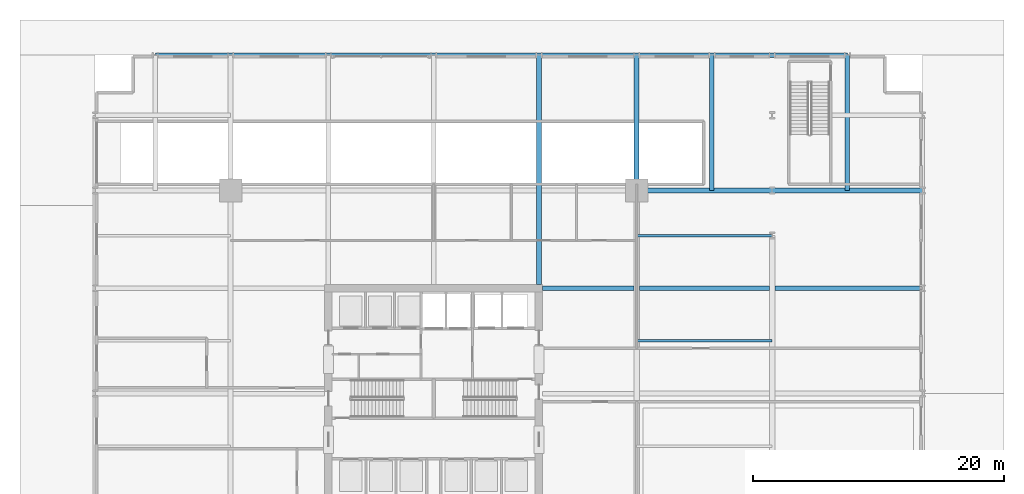
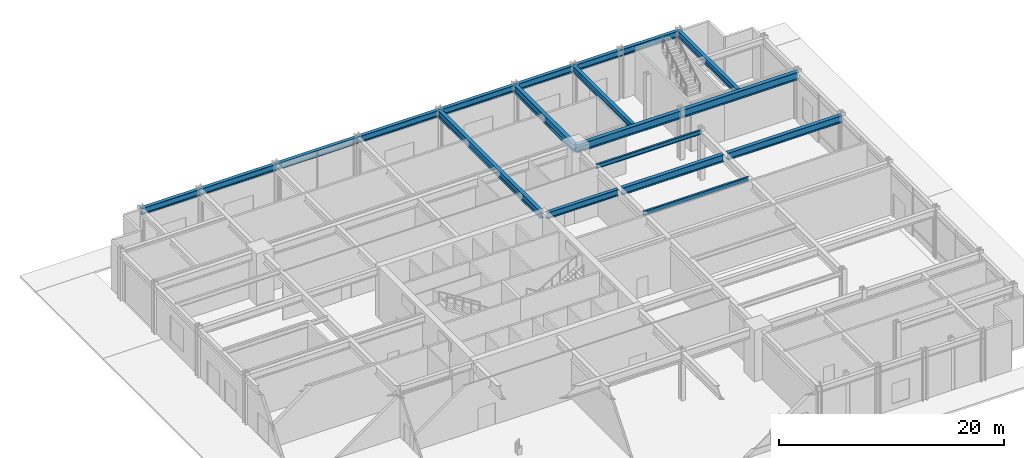
# One storey, part 6 of 21: 12 beams.
"""IFC4 building model written with IfcOpenShell, lengths in metres."""

from ifc_helpers import new_model, si_unit, direction, frame, origin, origin_2d, place, context, subcontext, project, spatial, i_section, extrude, material, material_profile, profile_set, type_object, element, save


model = new_model("IFC4")

# Units and contexts
model_context = context("Model", 3, precision=1e-05, world=origin(), true_north=direction((0.0, 1.0)))
body_context = subcontext(model_context, "Body", "Model", "MODEL_VIEW")
ifc_project = project(units=[si_unit("LENGTHUNIT", "METRE"), si_unit("AREAUNIT", "SQUARE_METRE"), si_unit("VOLUMEUNIT", "CUBIC_METRE"), si_unit("PLANEANGLEUNIT", "RADIAN"), si_unit("MASSUNIT", "GRAM", prefix="KILO")], contexts=[model_context])

# Site, building, storey
site_placement = place(None, origin())
site = spatial("IfcSite", under=ifc_project, at=site_placement, CompositionType="ELEMENT")
building_placement = place(site_placement, origin())
building = spatial("IfcBuilding", under=site, at=building_placement, Name="Drelvath Grand Hotel", CompositionType="ELEMENT")
storey_placement = place(building_placement, origin())
storey = spatial("IfcBuildingStorey", under=building, at=storey_placement, Name="L00", CompositionType="ELEMENT", Elevation=0.0)

# Beams
ifc_material = material(Name="Steel ASTM A992 Gr 50", Category="steel")
ifc_material_profile_1 = material_profile(ifc_material, i_section(OverallWidth=0.19140625, OverallDepth=0.4599609375, WebThickness=0.010009765625, FlangeThickness=0.01611328125, FilletRadius=0.01611328125, at=origin_2d()), Name="W18X55")
ifc_profile_set_1 = profile_set([ifc_material_profile_1], Name="Steel ASTM A992 Gr 50")
beam_type_1 = type_object("IfcBeamType", Name="Composite Floor Joist W18X55", PredefinedType="JOIST", material=ifc_profile_set_1)
for number, where, z_axis, x_axis, name in (
    (1, (16.199951171875, 31.199951171875, 5.070068359375), (1.0, 0.0, 0.0), (0.0, 1.0, 0.0), "L00 East Composite Joist J2"),
    (2, (16.199951171875, 39.60009765625, 5.070068359375), (1.0, 0.0, 0.0), (0.0, 1.0, 0.0), "L00 East Composite Joist J4"),
):
    element("IfcBeam", number, at=place(storey_placement, frame(where, z_axis=z_axis, x_axis=x_axis)), inside=storey, type_object=beam_type_1, Name=name, PredefinedType="JOIST", context=body_context, shape_type="SweptSolid", body=[
        extrude(i_section(OverallWidth=0.19140625, OverallDepth=0.4599609375, WebThickness=0.010009765625, FlangeThickness=0.01611328125, FilletRadius=0.01611328125, at=origin_2d()), origin(), (0.0, 0.0, 1.0), 10.800048828125),
    ])
ifc_material_profile_2 = material_profile(ifc_material, i_section(OverallWidth=0.354736328125, OverallDepth=0.695556640625, WebThickness=0.015380859375, FlangeThickness=0.025146484375, FilletRadius=0.02392578125, at=origin_2d()), Name="W27X146")
ifc_profile_set_2 = profile_set([ifc_material_profile_2], Name="Steel ASTM A992 Gr 50")
beam_type_2 = type_object("IfcBeamType", Name="Perimeter Spandrel Beam W27X146", PredefinedType="SPANDREL", material=ifc_profile_set_2)
beam_1_placement = place(storey_placement, frame((-22.199951171875, 54.0, 4.9521484375), z_axis=(1.0, 0.0, 0.0), x_axis=(0.0, 1.0, 0.0)))
element("IfcBeam", 3, at=beam_1_placement, inside=storey, type_object=beam_type_2, Name="L00 Podium Perimeter Spandrel SPN1", PredefinedType="SPANDREL", context=body_context, shape_type="SweptSolid", body=[
    extrude(i_section(OverallWidth=0.354736328125, OverallDepth=0.695556640625, WebThickness=0.015380859375, FlangeThickness=0.025146484375, FilletRadius=0.02392578125, at=origin_2d()), origin(), (0.0, 0.0, 1.0), 55.199951171875),
])
ifc_material_profile_3 = material_profile(ifc_material, i_section(OverallWidth=0.354736328125, OverallDepth=0.695556640625, WebThickness=0.015380859375, FlangeThickness=0.025146484375, FilletRadius=0.02392578125, at=origin_2d()), Name="W27X146")
ifc_profile_set_3 = profile_set([ifc_material_profile_3], Name="Steel ASTM A992 Gr 50")
beam_type_3 = type_object("IfcBeamType", Name="Primary Floor Girder W27X146", PredefinedType="BEAM", material=ifc_profile_set_3)
beam_2_placement = place(storey_placement, frame((8.699951171875, 35.39990234375, 4.9521484375), z_axis=(1.0, 0.0, 0.0), x_axis=(0.0, 1.0, 0.0)))
element("IfcBeam", 4, at=beam_2_placement, inside=storey, type_object=beam_type_3, Name="L00 East Core Girder F", PredefinedType="BEAM", context=body_context, shape_type="SweptSolid", body=[
    extrude(i_section(OverallWidth=0.354736328125, OverallDepth=0.695556640625, WebThickness=0.015380859375, FlangeThickness=0.025146484375, FilletRadius=0.02392578125, at=origin_2d()), origin(), (0.0, 0.0, 1.0), 7.28857421875),
])
for number, where, z_axis, x_axis, name in (
    (5, (22.199951171875, 43.199951171875, 4.9521484375), (0.0, 1.0, 0.0), (-1.0, 0.0, 0.0), "L00 North Corner Tie 8"),
    (6, (33.0, 43.199951171875, 4.9521484375), (0.0, 1.0, 0.0), (-1.0, 0.0, 0.0), "L00 North Corner Tie 10"),
):
    element("IfcBeam", number, at=place(storey_placement, frame(where, z_axis=z_axis, x_axis=x_axis)), inside=storey, type_object=beam_type_3, Name=name, PredefinedType="BEAM", context=body_context, shape_type="SweptSolid", body=[
        extrude(i_section(OverallWidth=0.354736328125, OverallDepth=0.695556640625, WebThickness=0.015380859375, FlangeThickness=0.025146484375, FilletRadius=0.02392578125, at=origin_2d()), origin(), (0.0, 0.0, 1.0), 10.800048828125),
    ])
ifc_material_profile_4 = material_profile(ifc_material, i_section(OverallWidth=0.380615234375, OverallDepth=0.773193359375, WebThickness=0.0166015625, FlangeThickness=0.027099609375, FilletRadius=0.02490234375, at=origin_2d()), Name="W30X173")
ifc_profile_set_4 = profile_set([ifc_material_profile_4], Name="Steel ASTM A992 Gr 50")
beam_type_4 = type_object("IfcBeamType", Name="Primary Floor Girder W30X173", PredefinedType="BEAM", material=ifc_profile_set_4)
beam_3_placement = place(storey_placement, frame((8.39990234375, 35.699951171875, 4.913330078125), z_axis=(0.0, 1.0, 0.0), x_axis=(-1.0, 0.0, 0.0)))
element("IfcBeam", 7, at=beam_3_placement, inside=storey, type_object=beam_type_4, Name="L00 North Span Girder Grid 6", PredefinedType="BEAM", context=body_context, shape_type="SweptSolid", body=[
    extrude(i_section(OverallWidth=0.380615234375, OverallDepth=0.773193359375, WebThickness=0.0166015625, FlangeThickness=0.027099609375, FilletRadius=0.02490234375, at=origin_2d()), origin(), (0.0, 0.0, 1.0), 18.300048828125),
])
beam_4_placement = place(storey_placement, frame((16.41162109375, 35.39990234375, 4.913330078125), z_axis=(1.0, 0.0, 0.0), x_axis=(0.0, 1.0, 0.0)))
element("IfcBeam", 8, at=beam_4_placement, inside=storey, type_object=beam_type_4, Name="L00 East Bay Girder F", PredefinedType="BEAM", context=body_context, shape_type="SweptSolid", body=[
    extrude(i_section(OverallWidth=0.380615234375, OverallDepth=0.773193359375, WebThickness=0.0166015625, FlangeThickness=0.027099609375, FilletRadius=0.02490234375, at=origin_2d()), origin(), (0.0, 0.0, 1.0), 10.376953125),
])
beam_5_placement = place(storey_placement, frame((27.21142578125, 35.39990234375, 4.913330078125), z_axis=(1.0, 0.0, 0.0), x_axis=(0.0, 1.0, 0.0)))
element("IfcBeam", 9, at=beam_5_placement, inside=storey, type_object=beam_type_4, Name="L00 Atrium Floor Girder F", PredefinedType="BEAM", context=body_context, shape_type="SweptSolid", body=[
    extrude(i_section(OverallWidth=0.380615234375, OverallDepth=0.773193359375, WebThickness=0.0166015625, FlangeThickness=0.027099609375, FilletRadius=0.02490234375, at=origin_2d()), origin(), (0.0, 0.0, 1.0), 11.78857421875),
])
ifc_material_profile_5 = material_profile(ifc_material, i_section(OverallWidth=0.39990234375, OverallDepth=0.85546875, WebThickness=0.018310546875, FlangeThickness=0.029296875, FilletRadius=0.02490234375, at=origin_2d()), Name="W33X201")
ifc_profile_set_5 = profile_set([ifc_material_profile_5], Name="Steel ASTM A992 Gr 50")
beam_type_5 = type_object("IfcBeamType", Name="Primary Floor Girder W33X201", PredefinedType="BEAM", material=ifc_profile_set_5)
beam_6_placement = place(storey_placement, frame((16.199951171875, 43.199951171875, 4.872314453125), z_axis=(1.0, 0.0, 0.0), x_axis=(0.0, 1.0, 0.0)))
element("IfcBeam", 10, at=beam_6_placement, inside=storey, type_object=beam_type_5, Name="L00 East Podium Girder 1 G", PredefinedType="BEAM", context=body_context, shape_type="SweptSolid", body=[
    extrude(i_section(OverallWidth=0.39990234375, OverallDepth=0.85546875, WebThickness=0.018310546875, FlangeThickness=0.029296875, FilletRadius=0.02490234375, at=origin_2d()), origin(), (0.0, 0.0, 1.0), 10.800048828125),
])
beam_7_placement = place(storey_placement, frame((27.0, 43.199951171875, 4.872314453125), z_axis=(1.0, 0.0, 0.0), x_axis=(0.0, 1.0, 0.0)))
element("IfcBeam", 11, at=beam_7_placement, inside=storey, type_object=beam_type_5, Name="L00 East Podium Girder 2 G", PredefinedType="BEAM", context=body_context, shape_type="SweptSolid", body=[
    extrude(i_section(OverallWidth=0.39990234375, OverallDepth=0.85546875, WebThickness=0.018310546875, FlangeThickness=0.029296875, FilletRadius=0.02490234375, at=origin_2d()), origin(), (0.0, 0.0, 1.0), 12.0),
])
beam_8_placement = place(storey_placement, frame((16.199951171875, 43.199951171875, 4.872314453125), z_axis=(0.0, 1.0, 0.0), x_axis=(-1.0, 0.0, 0.0)))
element("IfcBeam", 12, at=beam_8_placement, inside=storey, type_object=beam_type_5, Name="L00 North Podium Girder 7", PredefinedType="BEAM", context=body_context, shape_type="SweptSolid", body=[
    extrude(i_section(OverallWidth=0.39990234375, OverallDepth=0.85546875, WebThickness=0.018310546875, FlangeThickness=0.029296875, FilletRadius=0.02490234375, at=origin_2d()), origin(), (0.0, 0.0, 1.0), 10.800048828125),
])

save(model, "model.ifc")
